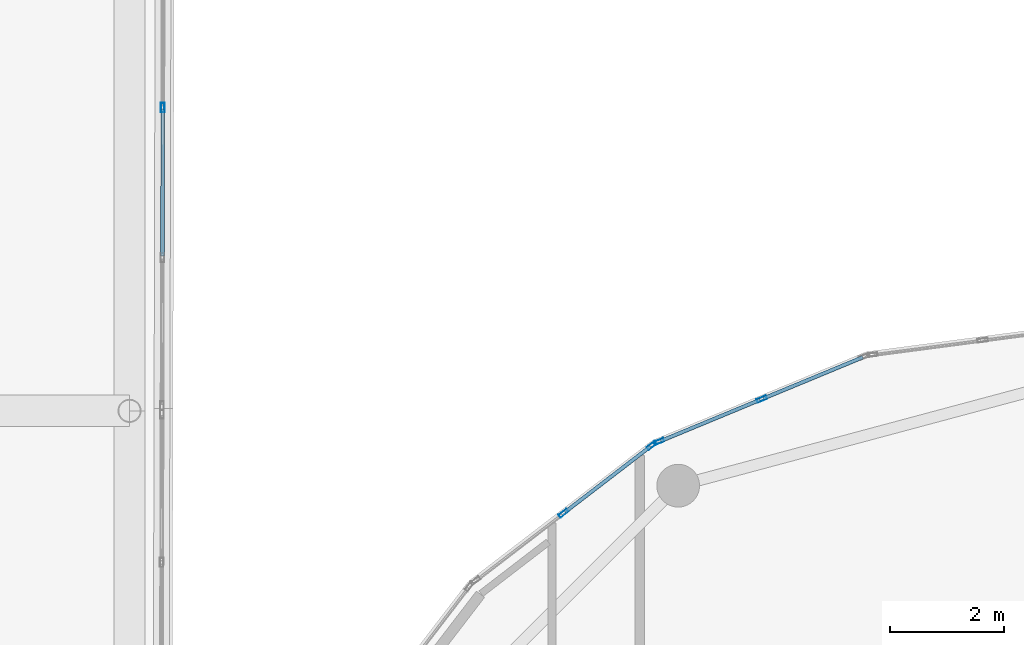
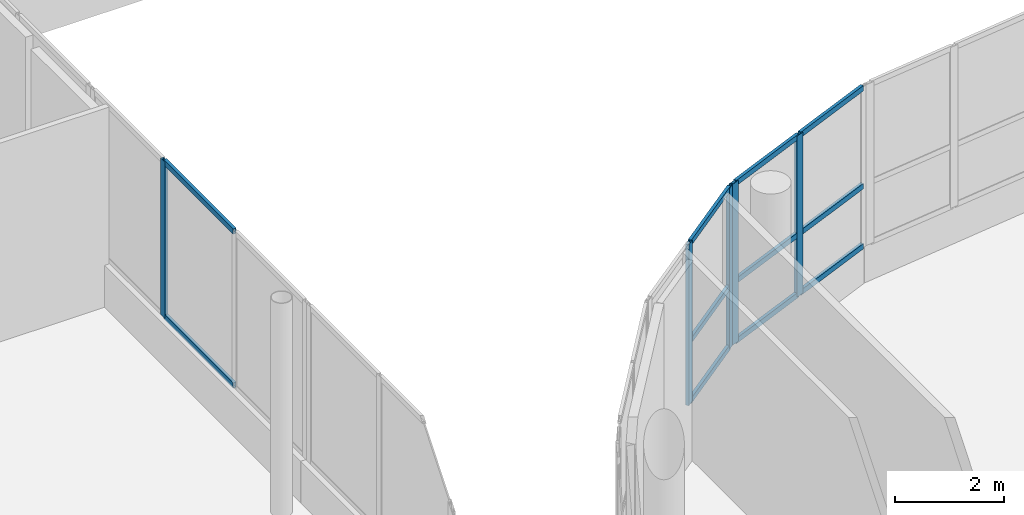
# One storey, part 49 of 155: 16 members, 3 elements without a shape of their own.
"""IFC4 building model written with IfcOpenShell, lengths in metres."""

import ifcopenshell
import ifcopenshell.guid

model = None  # the IFC model being written
_history = None  # IfcOwnerHistory: only IFC2X3 demands one
_inside = {}  # id of a spatial element -> (the spatial element, [elements in it])
_under = {}  # id of a project, library or spatial element -> (it, [spatial elements below it])
_declared = {}  # id of a project -> (the project, [libraries it declares])
_typed = {}  # id of a type object -> (the type object, [elements of that type])
_made_of = {}  # id of a material, layer set ... -> (it, [elements and type objects made of it])


def new_model(schema):
    """Start an empty IFC model of exactly this schema.

    Asked for "IFC4X3", IfcOpenShell would pick the latest addendum, in which some entities
    have other attributes; the version numbers below select the first issue.
    IFC2X3 requires an IfcOwnerHistory on every rooted entity: one is made here for all.
    """
    global model, _history
    if schema == "IFC4X3":
        model = ifcopenshell.file(schema_version=(4, 3, 0, 0))
    else:
        model = ifcopenshell.file(schema=schema)
    _inside.clear()
    _under.clear()
    _declared.clear()
    _typed.clear()
    _made_of.clear()
    _history = None
    if model.schema == "IFC2X3":
        org = make("IfcOrganization", Name="unknown")
        user = make(
            "IfcPersonAndOrganization",
            ThePerson=make("IfcPerson", FamilyName="unknown"),
            TheOrganization=org,
        )
        app = make(
            "IfcApplication",
            ApplicationDeveloper=org,
            Version="unknown",
            ApplicationFullName="unknown",
            ApplicationIdentifier="unknown",
        )
        _history = make(
            "IfcOwnerHistory",
            OwningUser=user,
            OwningApplication=app,
            ChangeAction="ADDED",
            CreationDate=0,
        )
    return model


def make(cls, **values):
    """One entity of the class cls with the attributes given. An attribute that is None is left unset."""
    return model.create_entity(
        cls, **{name: value for name, value in values.items() if value is not None}
    )


def rooted(cls, **values):
    """An entity with a GlobalId (a new one), such as an element, a storey or a relation."""
    return make(cls, GlobalId=ifcopenshell.guid.new(), OwnerHistory=_history, **values)


def si_unit(unit_type, name, prefix=None):
    """IfcSIUnit, for example si_unit("LENGTHUNIT", "METRE", prefix="MILLI")."""
    return make("IfcSIUnit", UnitType=unit_type, Prefix=prefix, Name=name)


def assignment(units):
    """IfcUnitAssignment: the units of a project."""
    return None if units is None else make("IfcUnitAssignment", Units=units)


def point(xyz):
    """IfcCartesianPoint."""
    return None if xyz is None else make("IfcCartesianPoint", Coordinates=xyz)


def direction(xyz):
    """IfcDirection."""
    return None if xyz is None else make("IfcDirection", DirectionRatios=xyz)


def frame(location, z_axis=None, x_axis=None):
    """IfcAxis2Placement3D, a coordinate frame: its origin and axes. An axis left out is left unset."""
    return make(
        "IfcAxis2Placement3D",
        Location=point(location),
        Axis=direction(z_axis),
        RefDirection=direction(x_axis),
    )


def frame_2d(location, x_axis=None):
    """IfcAxis2Placement2D, a coordinate frame in the plane: its origin and x axis."""
    return make(
        "IfcAxis2Placement2D", Location=point(location), RefDirection=direction(x_axis)
    )


def origin():
    """The frame at (0, 0, 0) with its axes left unset."""
    return frame((0.0, 0.0, 0.0))


def origin_2d():
    """The frame at (0, 0) in the plane with its x axis left unset."""
    return frame_2d((0.0, 0.0))


def place(relative_to, where):
    """IfcLocalPlacement: puts the frame where relative to a parent placement (None: the world)."""
    return make(
        "IfcLocalPlacement", PlacementRelTo=relative_to, RelativePlacement=where
    )


def context(
    kind, dimensions, precision=None, world=None, true_north=None, identifier=None
):
    """IfcGeometricRepresentationContext, for example the 3D "Model" context."""
    return make(
        "IfcGeometricRepresentationContext",
        ContextIdentifier=identifier,
        ContextType=kind,
        CoordinateSpaceDimension=dimensions,
        Precision=precision,
        WorldCoordinateSystem=world,
        TrueNorth=true_north,
    )


def subcontext(parent, identifier, kind, view, scale=None):
    """IfcGeometricRepresentationSubContext, for example "Body" below "Model"."""
    return make(
        "IfcGeometricRepresentationSubContext",
        ContextIdentifier=identifier,
        ContextType=kind,
        ParentContext=parent,
        TargetScale=scale,
        TargetView=view,
    )


def project(units=None, contexts=None):
    """IfcProject with its units and contexts."""
    return rooted(
        "IfcProject",
        Name="project",
        RepresentationContexts=contexts,
        UnitsInContext=assignment(units),
    )


def spatial(cls, under=None, at=None, **own):
    """A site, building, storey or space (cls), placed at a placement, below another one or the project."""
    s = rooted(cls, ObjectPlacement=at, **own)
    if under is not None:
        _under.setdefault(under.id(), (under, []))[1].append(s)
    return s


def profile(cls, at=None, kind="AREA", **sizes):
    """A parametric profile (cls). Its sizes go by their IFC names, for example OverallWidth=200.0."""
    return make(cls, ProfileType=kind, Position=at, **sizes)


def hollow_rectangle(**sizes):
    """IfcRectangleHollowProfileDef."""
    return profile("IfcRectangleHollowProfileDef", **sizes)


def extrude(swept, where, along, depth):
    """IfcExtrudedAreaSolid: the profile swept, set in the frame where, extruded along a direction by depth."""
    return make(
        "IfcExtrudedAreaSolid",
        SweptArea=swept,
        Position=where,
        ExtrudedDirection=direction(along),
        Depth=depth,
    )


def shape(context_of_items, identifier, shape_type, items):
    """IfcShapeRepresentation: the items that make up one representation, for example the "Body"."""
    return make(
        "IfcShapeRepresentation",
        ContextOfItems=context_of_items,
        RepresentationIdentifier=identifier,
        RepresentationType=shape_type,
        Items=items,
    )


def material(Name=None, Category=None):
    """IfcMaterial."""
    return make("IfcMaterial", Name=Name, Category=Category)


def material_profile(
    of_material, cross_section, Name=None, Category=None, Priority=None
):
    """IfcMaterialProfile: a cross section and its material."""
    return make(
        "IfcMaterialProfile",
        Name=Name,
        Material=of_material,
        Profile=cross_section,
        Priority=Priority,
        Category=Category,
    )


def profile_set(profiles, Name=None, composite=None):
    """IfcMaterialProfileSet."""
    return make(
        "IfcMaterialProfileSet",
        Name=Name,
        MaterialProfiles=profiles,
        CompositeProfile=composite,
    )


def made_of(thing, what):
    """Note that an element or type object is made of a material, layer set ...; save() writes the relation."""
    if what is not None:
        _made_of.setdefault(what.id(), (what, []))[1].append(thing)
    return thing


def type_object(cls, material=None, **own):
    """A type object (cls), such as IfcWallType, which elements share."""
    return made_of(rooted(cls, **own), material)


def element(
    cls,
    number,
    at=None,
    inside=None,
    cuts=None,
    type_object=None,
    material=None,
    context=None,
    identifier="Body",
    shape_type=None,
    held_by="IfcProductDefinitionShape",
    body=None,
    shapes=None,
    **own,
):
    """One element of the class cls, such as IfcWall. Its Tag is "e" and its number.

    at: its placement. inside: the storey or other place that contains it. cuts: it is an
    opening in that element (IfcRelVoidsElement). A single representation is given by context,
    identifier, shape_type and body (its items); several are given by shapes. held_by: the class
    of the entity that holds the representations. save() writes the other relations.
    """
    e = rooted(cls, Tag="e%d" % number, ObjectPlacement=at, **own)
    if body is not None:
        shapes = [shape(context, identifier, shape_type, body)]
    if shapes is not None:
        e.Representation = make(held_by, Representations=shapes)
    if inside is not None:
        _inside.setdefault(inside.id(), (inside, []))[1].append(e)
    if cuts is not None:
        rooted(
            "IfcRelVoidsElement", RelatingBuildingElement=cuts, RelatedOpeningElement=e
        )
    if type_object is not None:
        _typed.setdefault(type_object.id(), (type_object, []))[1].append(e)
    return made_of(e, material)


def aggregate(whole, parts):
    """IfcRelAggregates: a whole, such as a stair, and the parts it consists of."""
    return rooted("IfcRelAggregates", RelatingObject=whole, RelatedObjects=parts)


def save(model, path):
    """Write the relations noted so far, then the file.

    IfcRelAggregates (storeys below a building ...), IfcRelContainedInSpatialStructure (elements
    in a storey), IfcRelDefinesByType, IfcRelAssociatesMaterial and IfcRelDeclares: one each for
    every whole, place, type object, material and project.
    """
    for whole, parts in _under.values():
        aggregate(whole, parts)
    for where, things in _inside.values():
        rooted(
            "IfcRelContainedInSpatialStructure",
            RelatedElements=things,
            RelatingStructure=where,
        )
    for kind, things in _typed.values():
        rooted("IfcRelDefinesByType", RelatedObjects=things, RelatingType=kind)
    for what, things in _made_of.values():
        rooted("IfcRelAssociatesMaterial", RelatedObjects=things, RelatingMaterial=what)
    for by, libraries in _declared.values():
        rooted("IfcRelDeclares", RelatingContext=by, RelatedDefinitions=libraries)
    model.write(path)


model = new_model("IFC4")

# Units and contexts
model_context = context("Model", 3, precision=1e-05, world=origin(), true_north=direction((0.0, 1.0)))
body_context = subcontext(model_context, "Body", "Model", "MODEL_VIEW")
ifc_project = project(units=[si_unit("LENGTHUNIT", "METRE"), si_unit("AREAUNIT", "SQUARE_METRE"), si_unit("VOLUMEUNIT", "CUBIC_METRE"), si_unit("PLANEANGLEUNIT", "RADIAN"), si_unit("MASSUNIT", "GRAM", prefix="KILO")], contexts=[model_context])

# Site, building, storey
site_placement = place(None, origin())
site = spatial("IfcSite", under=ifc_project, at=site_placement, CompositionType="ELEMENT")
building_placement = place(site_placement, origin())
building = spatial("IfcBuilding", under=site, at=building_placement, Name="Selatvlak General Hospital", CompositionType="ELEMENT")
storey_placement = place(building_placement, frame((0.0, 0.0, 10.199951171875)))
storey = spatial("IfcBuildingStorey", under=building, at=storey_placement, Name="L02", CompositionType="ELEMENT", Elevation=10.199951171875)

# Curtain wall, member
ifc_material_1 = material(Name="Solar-control Low-E double glazing", Category="glass")
curtain_wall_type_1 = type_object("IfcCurtainWallType", Name="CW-CW-01", PredefinedType="USERDEFINED", material=ifc_material_1)
curtain_wall_1_placement = place(storey_placement, origin())
curtain_wall_1 = element("IfcCurtainWall", 1, at=curtain_wall_1_placement, inside=storey, type_object=curtain_wall_type_1, Name="Glazed facade curtain wall CW-L02-0358", ObjectType="UNITISED CURTAIN WALL", PredefinedType="USERDEFINED")
ifc_material_2 = material(Name="Dark anodised aluminium mullion", Category="aluminium")
ifc_material_profile_1 = material_profile(ifc_material_2, hollow_rectangle(XDim=0.06494140625, YDim=0.159912109375, WallThickness=0.00390625, at=origin_2d()), Name="AL-MUL 65x160x4")
ifc_profile_set_1 = profile_set([ifc_material_profile_1], Name="Dark anodised aluminium mullion")
member_type_1 = type_object("IfcMemberType", Name="CWM-01", PredefinedType="MULLION", material=ifc_profile_set_1)
member_1_placement = place(storey_placement, frame((81.63330078125, 73.32177734375, 0.93994140625), z_axis=(0.0, 0.0, 1.0), x_axis=(0.999996795401, -0.002531637448, 0.0)))
member_1 = element("IfcMember", 2, at=member_1_placement, type_object=member_type_1, Name="CW-01 mullion 2", PredefinedType="MULLION", context=body_context, shape_type="SweptSolid", body=[
    extrude(hollow_rectangle(XDim=0.06494140625, YDim=0.159912109375, WallThickness=0.00390625, at=origin_2d()), origin(), (0.0, 0.0, 1.0), 3.52001953125),
])

# Curtain wall, members
curtain_wall_type_2 = type_object("IfcCurtainWallType", Name="CW-CW-05", PredefinedType="USERDEFINED", material=ifc_material_1)
curtain_wall_2_placement = place(storey_placement, origin())
curtain_wall_2 = element("IfcCurtainWall", 3, at=curtain_wall_2_placement, inside=storey, type_object=curtain_wall_type_2, Name="Glazed facade curtain wall CW-L02-0348", ObjectType="STICK GLAZING WALL", PredefinedType="USERDEFINED")
ifc_material_profile_2 = material_profile(ifc_material_2, hollow_rectangle(XDim=0.06494140625, YDim=0.179931640625, WallThickness=0.00439453125, at=origin_2d()), Name="AL-MUL 65x180x4.5")
ifc_profile_set_2 = profile_set([ifc_material_profile_2], Name="Dark anodised aluminium mullion")
member_type_2 = type_object("IfcMemberType", Name="CWM-02", PredefinedType="MULLION", material=ifc_profile_set_2)
member_2_placement = place(storey_placement, frame((88.6640625, 66.20556640625, 0.85009765625), z_axis=(0.0, 0.0, 1.0), x_axis=(-0.608918417743, 0.793232853917, 0.0)))
member_2 = element("IfcMember", 4, at=member_2_placement, type_object=member_type_2, Name="CW-05 mullion 2", PredefinedType="MULLION", context=body_context, shape_type="SweptSolid", body=[
    extrude(hollow_rectangle(XDim=0.06494140625, YDim=0.179931640625, WallThickness=0.00439453125, at=origin_2d()), origin(), (0.0, 0.0, 1.0), 3.60986328125),
])
member_3_placement = place(storey_placement, frame((90.211181640625, 67.393310546875, 0.85009765625), z_axis=(0.0, 0.0, 1.0), x_axis=(-0.608918417743, 0.793232853917, 0.0)))
member_3 = element("IfcMember", 5, at=member_3_placement, type_object=member_type_2, Name="CW-05 mullion 3", PredefinedType="MULLION", context=body_context, shape_type="SweptSolid", body=[
    extrude(hollow_rectangle(XDim=0.06494140625, YDim=0.179931640625, WallThickness=0.00439453125, at=origin_2d()), origin(), (0.0, 0.0, 1.0), 3.60986328125),
])

curtain_wall_type_3 = type_object("IfcCurtainWallType", Name="CW-CW-04", PredefinedType="USERDEFINED", material=ifc_material_1)
curtain_wall_3_placement = place(storey_placement, origin())
curtain_wall_3 = element("IfcCurtainWall", 6, at=curtain_wall_3_placement, inside=storey, type_object=curtain_wall_type_3, Name="Glazed facade curtain wall CW-L02-0349", ObjectType="STICK GLAZING WALL", PredefinedType="USERDEFINED")
member_4_placement = place(storey_placement, frame((90.339111328125, 67.45947265625, 0.85009765625), z_axis=(0.0, 0.0, 1.0), x_axis=(-0.382752625243, 0.923850868847, 0.0)))
member_4 = element("IfcMember", 7, at=member_4_placement, type_object=member_type_2, Name="CW-04 mullion 1", PredefinedType="MULLION", context=body_context, shape_type="SweptSolid", body=[
    extrude(hollow_rectangle(XDim=0.06494140625, YDim=0.179931640625, WallThickness=0.00439453125, at=origin_2d()), origin(), (0.0, 0.0, 1.0), 3.60986328125),
])
member_5_placement = place(storey_placement, frame((92.14111328125, 68.2060546875, 0.85009765625), z_axis=(0.0, 0.0, 1.0), x_axis=(-0.382752625243, 0.923850868847, 0.0)))
member_5 = element("IfcMember", 8, at=member_5_placement, type_object=member_type_2, Name="CW-04 mullion 2", PredefinedType="MULLION", context=body_context, shape_type="SweptSolid", body=[
    extrude(hollow_rectangle(XDim=0.06494140625, YDim=0.179931640625, WallThickness=0.00439453125, at=origin_2d()), origin(), (0.0, 0.0, 1.0), 3.60986328125),
])

# Member
ifc_material_profile_3 = material_profile(ifc_material_2, hollow_rectangle(XDim=0.06494140625, YDim=0.1201171875, WallThickness=0.00390625, at=origin_2d()), Name="AL-TRN 65x120x4")
ifc_profile_set_3 = profile_set([ifc_material_profile_3], Name="Dark anodised aluminium mullion")
member_type_3 = type_object("IfcMemberType", Name="CWT-01", PredefinedType="USERDEFINED", material=ifc_profile_set_3)
member_6_placement = place(storey_placement, frame((88.689697265625, 66.225341796875, 0.882568359375), z_axis=(0.793254062913, 0.608890787968, 0.0), x_axis=(-0.608890787968, 0.793254062913, 0.0)))
member_6 = element("IfcMember", 9, at=member_6_placement, type_object=member_type_3, Name="CW-05 transom 2.1", ObjectType="TRANSOM", PredefinedType="USERDEFINED", context=body_context, shape_type="SweptSolid", body=[
    extrude(hollow_rectangle(XDim=0.06494140625, YDim=0.1201171875, WallThickness=0.00390625, at=origin_2d()), origin(), (0.0, 0.0, 1.0), 1.8857421875),
])

member_7_placement = place(storey_placement, frame((88.689697265625, 66.225341796875, 2.22998046875), z_axis=(0.793254062913, 0.608890787968, 0.0), x_axis=(-0.608890787968, 0.793254062913, 0.0)))
member_7 = element("IfcMember", 10, at=member_7_placement, type_object=member_type_3, Name="CW-05 transom 2.2", ObjectType="TRANSOM", PredefinedType="USERDEFINED", context=body_context, shape_type="SweptSolid", body=[
    extrude(hollow_rectangle(XDim=0.06494140625, YDim=0.1201171875, WallThickness=0.00390625, at=origin_2d()), origin(), (0.0, 0.0, 1.0), 1.8857421875),
])

member_8_placement = place(storey_placement, frame((88.689697265625, 66.225341796875, 4.427490234375), z_axis=(0.793254062913, 0.608890787968, 0.0), x_axis=(-0.608890787968, 0.793254062913, 0.0)))
member_8 = element("IfcMember", 11, at=member_8_placement, type_object=member_type_3, Name="CW-05 transom 2.3", ObjectType="TRANSOM", PredefinedType="USERDEFINED", context=body_context, shape_type="SweptSolid", body=[
    extrude(hollow_rectangle(XDim=0.06494140625, YDim=0.1201171875, WallThickness=0.00390625, at=origin_2d()), origin(), (0.0, 0.0, 1.0), 1.8857421875),
])

aggregate(curtain_wall_2, [member_2, member_3, member_6, member_7, member_8])

member_9_placement = place(storey_placement, frame((90.369140625, 67.471923828125, 0.882568359375), z_axis=(0.92385269326, 0.382748221623, 0.0), x_axis=(-0.382748221623, 0.92385269326, 0.0)))
member_9 = element("IfcMember", 12, at=member_9_placement, type_object=member_type_3, Name="CW-04 transom 1.1", ObjectType="TRANSOM", PredefinedType="USERDEFINED", context=body_context, shape_type="SweptSolid", body=[
    extrude(hollow_rectangle(XDim=0.06494140625, YDim=0.1201171875, WallThickness=0.00390625, at=origin_2d()), origin(), (0.0, 0.0, 1.0), 1.885498046875),
])

member_10_placement = place(storey_placement, frame((90.369140625, 67.471923828125, 2.22998046875), z_axis=(0.92385269326, 0.382748221623, 0.0), x_axis=(-0.382748221623, 0.92385269326, 0.0)))
member_10 = element("IfcMember", 13, at=member_10_placement, type_object=member_type_3, Name="CW-04 transom 1.2", ObjectType="TRANSOM", PredefinedType="USERDEFINED", context=body_context, shape_type="SweptSolid", body=[
    extrude(hollow_rectangle(XDim=0.06494140625, YDim=0.1201171875, WallThickness=0.00390625, at=origin_2d()), origin(), (0.0, 0.0, 1.0), 1.885498046875),
])

member_11_placement = place(storey_placement, frame((90.369140625, 67.471923828125, 4.427490234375), z_axis=(0.92385269326, 0.382748221623, 0.0), x_axis=(-0.382748221623, 0.92385269326, 0.0)))
member_11 = element("IfcMember", 14, at=member_11_placement, type_object=member_type_3, Name="CW-04 transom 1.3", ObjectType="TRANSOM", PredefinedType="USERDEFINED", context=body_context, shape_type="SweptSolid", body=[
    extrude(hollow_rectangle(XDim=0.06494140625, YDim=0.1201171875, WallThickness=0.00390625, at=origin_2d()), origin(), (0.0, 0.0, 1.0), 1.885498046875),
])

member_12_placement = place(storey_placement, frame((92.171142578125, 68.218505859375, 0.882568359375), z_axis=(0.923833721264, 0.382794011782, 0.0), x_axis=(-0.382794011782, 0.923833721264, 0.0)))
member_12 = element("IfcMember", 15, at=member_12_placement, type_object=member_type_3, Name="CW-04 transom 2.1", ObjectType="TRANSOM", PredefinedType="USERDEFINED", context=body_context, shape_type="SweptSolid", body=[
    extrude(hollow_rectangle(XDim=0.06494140625, YDim=0.1201171875, WallThickness=0.00390625, at=origin_2d()), origin(), (0.0, 0.0, 1.0), 1.88525390625),
])

member_13_placement = place(storey_placement, frame((92.171142578125, 68.218505859375, 2.22998046875), z_axis=(0.923833721264, 0.382794011782, 0.0), x_axis=(-0.382794011782, 0.923833721264, 0.0)))
member_13 = element("IfcMember", 16, at=member_13_placement, type_object=member_type_3, Name="CW-04 transom 2.2", ObjectType="TRANSOM", PredefinedType="USERDEFINED", context=body_context, shape_type="SweptSolid", body=[
    extrude(hollow_rectangle(XDim=0.06494140625, YDim=0.1201171875, WallThickness=0.00390625, at=origin_2d()), origin(), (0.0, 0.0, 1.0), 1.88525390625),
])

member_14_placement = place(storey_placement, frame((92.171142578125, 68.218505859375, 4.427490234375), z_axis=(0.923833721264, 0.382794011782, 0.0), x_axis=(-0.382794011782, 0.923833721264, 0.0)))
member_14 = element("IfcMember", 17, at=member_14_placement, type_object=member_type_3, Name="CW-04 transom 2.3", ObjectType="TRANSOM", PredefinedType="USERDEFINED", context=body_context, shape_type="SweptSolid", body=[
    extrude(hollow_rectangle(XDim=0.06494140625, YDim=0.1201171875, WallThickness=0.00390625, at=origin_2d()), origin(), (0.0, 0.0, 1.0), 1.88525390625),
])

aggregate(curtain_wall_3, [member_4, member_5, member_9, member_10, member_11, member_12, member_13, member_14])

member_15_placement = place(storey_placement, frame((81.63330078125, 73.2890625, 0.97265625), z_axis=(-0.002566775459, -0.999996705826, 0.0), x_axis=(0.999996705826, -0.002566775459, 0.0)))
member_15 = element("IfcMember", 18, at=member_15_placement, type_object=member_type_3, Name="CW-01 transom 2.1", ObjectType="TRANSOM", PredefinedType="USERDEFINED", context=body_context, shape_type="SweptSolid", body=[
    extrude(hollow_rectangle(XDim=0.06494140625, YDim=0.1201171875, WallThickness=0.00390625, at=origin_2d()), origin(), (0.0, 0.0, 1.0), 2.568115234375),
])

member_16_placement = place(storey_placement, frame((81.63330078125, 73.2890625, 4.427490234375), z_axis=(-0.002566775459, -0.999996705826, 0.0), x_axis=(0.999996705826, -0.002566775459, 0.0)))
member_16 = element("IfcMember", 19, at=member_16_placement, type_object=member_type_3, Name="CW-01 transom 2.2", ObjectType="TRANSOM", PredefinedType="USERDEFINED", context=body_context, shape_type="SweptSolid", body=[
    extrude(hollow_rectangle(XDim=0.06494140625, YDim=0.1201171875, WallThickness=0.00390625, at=origin_2d()), origin(), (0.0, 0.0, 1.0), 2.568115234375),
])

aggregate(curtain_wall_1, [member_1, member_15, member_16])

save(model, "model.ifc")
